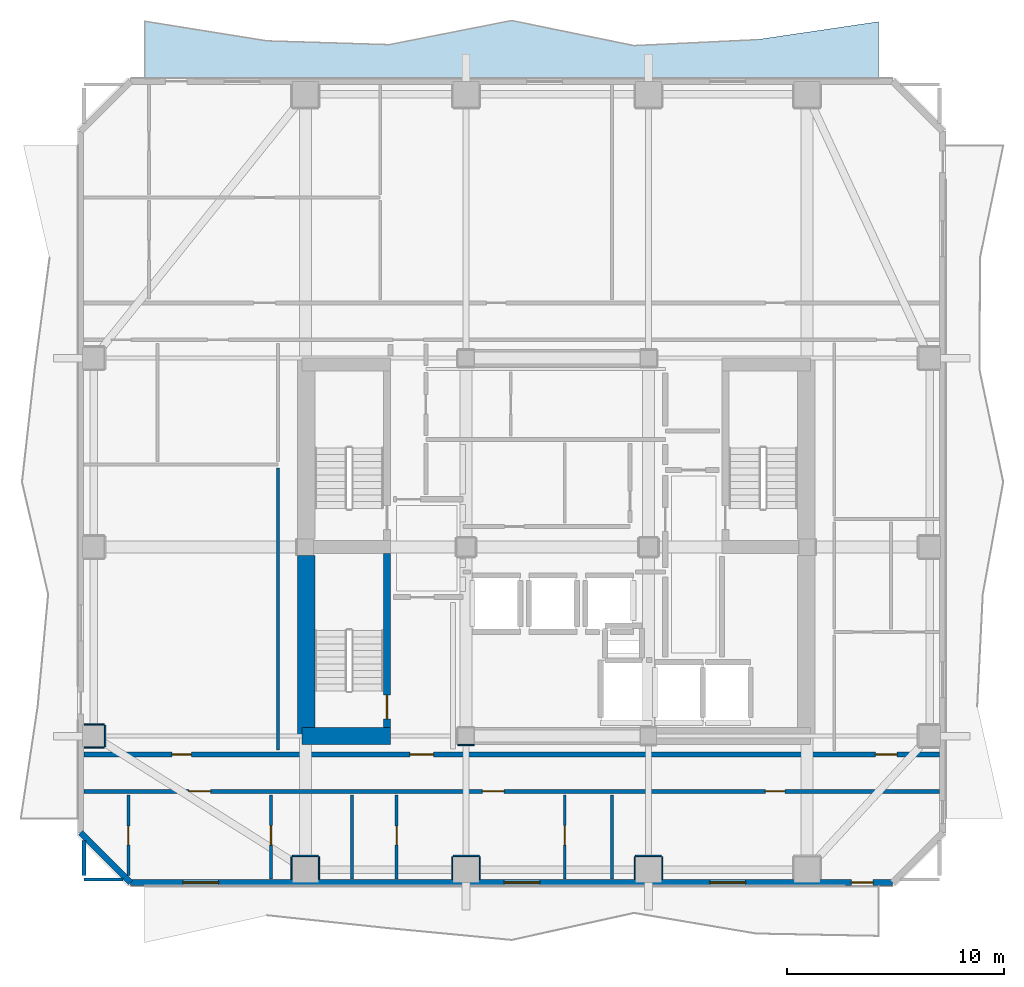
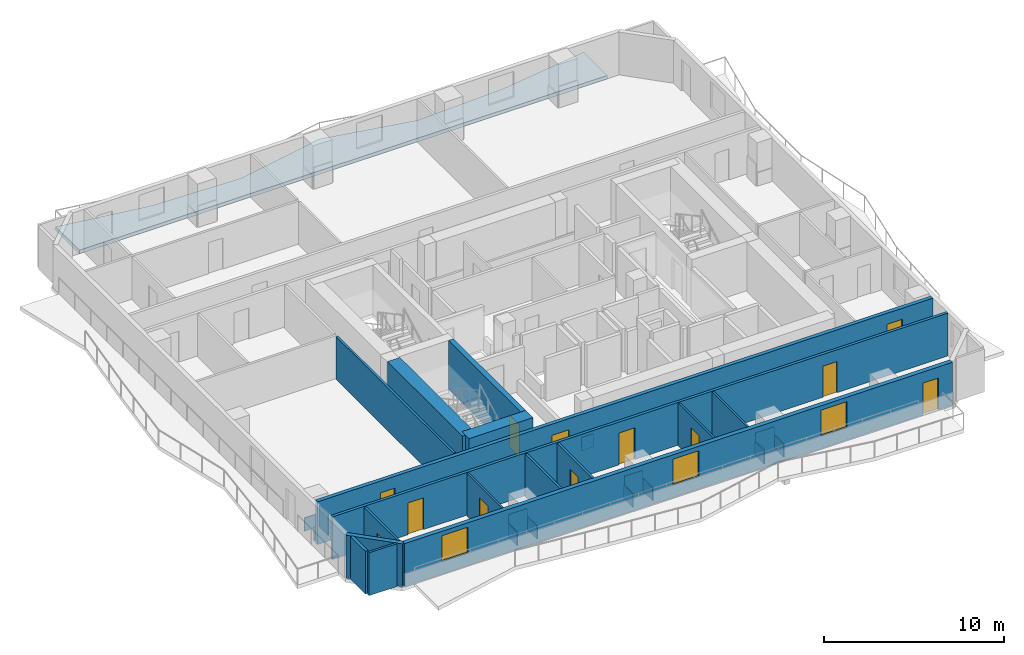
# One storey, part 2 of 10: 29 walls, 12 doors, 3 windows, 1 slab, 15 openings.
"""IFC4 building model written with IfcOpenShell, lengths in metres."""

from ifc_helpers import new_model, si_unit, direction, frame, frame_2d, origin, place, context, subcontext, project, spatial, polyline, rectangle, outline, extrude, material, layer, layer_set, type_object, element, fill, save


model = new_model("IFC4")

# Units and contexts
model_context = context("Model", 3, precision=1e-05, world=origin(), true_north=direction((0.0, 1.0)))
body_context = subcontext(model_context, "Body", "Model", "MODEL_VIEW")
ifc_project = project(units=[si_unit("LENGTHUNIT", "METRE"), si_unit("AREAUNIT", "SQUARE_METRE"), si_unit("VOLUMEUNIT", "CUBIC_METRE"), si_unit("PLANEANGLEUNIT", "RADIAN"), si_unit("MASSUNIT", "GRAM", prefix="KILO")], contexts=[model_context])

# Site, building, storey
site_placement = place(None, origin())
site = spatial("IfcSite", under=ifc_project, at=site_placement, CompositionType="ELEMENT")
building_placement = place(site_placement, origin())
building = spatial("IfcBuilding", under=site, at=building_placement, Name="Solanera Arch Residences", CompositionType="ELEMENT")
storey_placement = place(building_placement, frame((0.0, 0.0, 186.840087890625)))
storey = spatial("IfcBuildingStorey", under=building, at=storey_placement, Name="L54", CompositionType="ELEMENT", Elevation=186.840087890625)

# Slab
ifc_material_1 = material(Name="Concrete C40/50 (f'c = 45 MPa)", Category="concrete")
ifc_layer_1 = layer(ifc_material_1, 0.25)
ifc_layer_set_1 = layer_set([ifc_layer_1], Name="Concrete C40/50 (f'c = 45 MPa)")
slab_type = type_object("IfcSlabType", Name="Balcony Slab 250", PredefinedType="FLOOR", material=ifc_layer_set_1)
slab_placement = place(storey_placement, frame((0.0, 0.0, -0.25)))
element("IfcSlab", 1, at=slab_placement, inside=storey, type_object=slab_type, Name="L54 N Rippling Brise-Soleil Balcony Slab", PredefinedType="FLOOR", context=body_context, shape_type="SweptSolid", body=[
    extrude(outline(polyline([(39.800048828125, 54.89599609375), (34.1669921875, 54.06494140625), (28.532958984375, 53.79296875), (22.89990234375, 54.948974609375), (17.26708984375, 53.837890625), (11.633056640625, 54.011962890625), (6.0, 54.9150390625), (6.0, 52.280029296875), (39.800048828125, 52.280029296875), (39.800048828125, 54.89599609375)])), origin(), (0.0, 0.0, 1.0), 0.25),
])

# Walls
ifc_material_2 = material(Name="Fire-Rated Gypsum Stud Partition", Category="gypsum")
ifc_layer_2 = layer(ifc_material_2, 0.06005859375)
ifc_layer_set_2 = layer_set([ifc_layer_2], Name="Fire-Rated Gypsum Stud Partition")
wall_type_1 = type_object("IfcWallType", Name="Column Acoustic Furring Wall 60", PredefinedType="PARTITIONING", material=ifc_layer_set_2)
wall_1_placement = place(storey_placement, frame((20.425048828125, 21.593017578125, 0.0), z_axis=(0.0, 0.0, 1.0), x_axis=(1.0, 0.0, 0.0)))
element("IfcWall", 2, at=wall_1_placement, inside=storey, type_object=wall_type_1, Name="L54 Column Furring 1S", PredefinedType="PARTITIONING", context=body_context, shape_type="SweptSolid", body=[
    extrude(rectangle(XDim=0.741943359375, YDim=0.06005859375, at=frame_2d((0.37109375, 0.0))), origin(), (0.0, 0.0, 1.0), 0.905029296875),
])
wall_2_placement = place(storey_placement, frame((12.800048828125, 16.48193359375, 0.0), z_axis=(0.0, 0.0, 1.0), x_axis=(1.0, 0.0, 0.0)))
element("IfcWall", 3, at=wall_2_placement, inside=storey, type_object=wall_type_1, Name="L54 Column Furring 9N", PredefinedType="PARTITIONING", context=body_context, shape_type="SweptSolid", body=[
    extrude(rectangle(XDim=1.199951171875, YDim=0.06005859375, at=frame_2d((0.60009765625, 0.0))), origin(), (0.0, 0.0, 1.0), 1.449951171875),
])
for number, where, z_axis, x_axis, name in (
    (4, (12.76806640625, 15.409912109375, 0.0), (0.0, 0.0, 1.0), (0.0, 1.0, 0.0), "L54 Column Furring 9W"),
    (5, (14.031982421875, 15.409912109375, 0.0), (0.0, 0.0, 1.0), (0.0, 1.0, 0.0), "L54 Column Furring 9E"),
):
    element("IfcWall", number, at=place(storey_placement, frame(where, z_axis=z_axis, x_axis=x_axis)), inside=storey, type_object=wall_type_1, Name=name, PredefinedType="PARTITIONING", context=body_context, shape_type="SweptSolid", body=[
        extrude(rectangle(XDim=1.0400390625, YDim=0.06005859375, at=frame_2d((0.52001953125, 0.0))), origin(), (0.0, 0.0, 1.0), 0.905029296875),
    ])
wall_3_placement = place(storey_placement, frame((20.199951171875, 16.48193359375, 0.0), z_axis=(0.0, 0.0, 1.0), x_axis=(1.0, 0.0, 0.0)))
element("IfcWall", 6, at=wall_3_placement, inside=storey, type_object=wall_type_1, Name="L54 Column Furring 11N", PredefinedType="PARTITIONING", context=body_context, shape_type="SweptSolid", body=[
    extrude(rectangle(XDim=1.199951171875, YDim=0.06005859375, at=frame_2d((0.60009765625, 0.0))), origin(), (0.0, 0.0, 1.0), 1.449951171875),
])
for number, where, z_axis, x_axis, name in (
    (7, (20.16796875, 15.409912109375, 0.0), (0.0, 0.0, 1.0), (0.0, 1.0, 0.0), "L54 Column Furring 11W"),
    (8, (21.431884765625, 15.409912109375, 0.0), (0.0, 0.0, 1.0), (0.0, 1.0, 0.0), "L54 Column Furring 11E"),
):
    element("IfcWall", number, at=place(storey_placement, frame(where, z_axis=z_axis, x_axis=x_axis)), inside=storey, type_object=wall_type_1, Name=name, PredefinedType="PARTITIONING", context=body_context, shape_type="SweptSolid", body=[
        extrude(rectangle(XDim=1.0400390625, YDim=0.06005859375, at=frame_2d((0.52001953125, 0.0))), origin(), (0.0, 0.0, 1.0), 0.905029296875),
    ])
wall_4_placement = place(storey_placement, frame((28.60009765625, 16.48193359375, 0.0), z_axis=(0.0, 0.0, 1.0), x_axis=(1.0, 0.0, 0.0)))
element("IfcWall", 9, at=wall_4_placement, inside=storey, type_object=wall_type_1, Name="L54 Column Furring 13N", PredefinedType="PARTITIONING", context=body_context, shape_type="SweptSolid", body=[
    extrude(rectangle(XDim=1.199951171875, YDim=0.06005859375, at=frame_2d((0.60009765625, 0.0))), origin(), (0.0, 0.0, 1.0), 1.449951171875),
])
for number, where, z_axis, x_axis, name in (
    (10, (28.568115234375, 15.409912109375, 0.0), (0.0, 0.0, 1.0), (0.0, 1.0, 0.0), "L54 Column Furring 13W"),
    (11, (29.83203125, 15.409912109375, 0.0), (0.0, 0.0, 1.0), (0.0, 1.0, 0.0), "L54 Column Furring 13E"),
):
    element("IfcWall", number, at=place(storey_placement, frame(where, z_axis=z_axis, x_axis=x_axis)), inside=storey, type_object=wall_type_1, Name=name, PredefinedType="PARTITIONING", context=body_context, shape_type="SweptSolid", body=[
        extrude(rectangle(XDim=1.0400390625, YDim=0.06005859375, at=frame_2d((0.52001953125, 0.0))), origin(), (0.0, 0.0, 1.0), 0.905029296875),
    ])
for number, where, z_axis, x_axis, name in (
    (12, (3.2099609375, 21.468017578125, 0.0), (0.0, 0.0, 1.0), (1.0, 0.0, 0.0), "L54 Column Furring 17S"),
    (13, (3.2099609375, 22.531982421875, 0.0), (0.0, 0.0, 1.0), (1.0, 0.0, 0.0), "L54 Column Furring 17N"),
):
    element("IfcWall", number, at=place(storey_placement, frame(where, z_axis=z_axis, x_axis=x_axis)), inside=storey, type_object=wall_type_1, Name=name, PredefinedType="PARTITIONING", context=body_context, shape_type="SweptSolid", body=[
        extrude(rectangle(XDim=0.93994140625, YDim=0.06005859375, at=frame_2d((0.469970703125, 0.0))), origin(), (0.0, 0.0, 1.0), 0.905029296875),
    ])
wall_5_placement = place(storey_placement, frame((4.181884765625, 21.5, 0.0), z_axis=(0.0, 0.0, 1.0), x_axis=(0.0, 1.0, 0.0)))
element("IfcWall", 14, at=wall_5_placement, inside=storey, type_object=wall_type_1, Name="L54 Column Furring 17E", PredefinedType="PARTITIONING", context=body_context, shape_type="SweptSolid", body=[
    extrude(rectangle(XDim=1.0, YDim=0.06005859375, at=frame_2d((0.5, 0.0))), origin(), (0.0, 0.0, 1.0), 1.449951171875),
])

# Wall, opening, door
ifc_material_3 = material(Name="Concrete C40/50 (f'c = 45 MPa)", Category="concrete")
ifc_layer_3 = layer(ifc_material_3, 0.320068359375)
ifc_layer_set_3 = layer_set([ifc_layer_3], Name="Concrete C40/50 (f'c = 45 MPa)")
wall_type_2 = type_object("IfcWallType", Name="Core Shear Wall CW-320", PredefinedType="SHEAR", material=ifc_layer_set_3)
wall_6_placement = place(storey_placement, frame((17.159912109375, 22.39990234375, 0.0), z_axis=(0.0, 0.0, 1.0), x_axis=(0.0, 1.0, 0.0)))
wall_6 = element("IfcWall", 15, at=wall_6_placement, inside=storey, type_object=wall_type_2, Name="L54 Stair ST-T3 East Shear Wall", PredefinedType="SHEAR", context=body_context, shape_type="SweptSolid", body=[
    extrude(rectangle(XDim=8.0, YDim=0.320068359375, at=frame_2d((4.0, 0.0))), origin(), (0.0, 0.0, 1.0), 3.31982421875),
])
opening_1_placement = place(wall_6_placement, frame((0.389892578125, 0.0, 0.0)))
opening_1 = element("IfcOpeningElement", 16, at=opening_1_placement, cuts=wall_6, Name="Opening DF-01", PredefinedType="OPENING", context=body_context, shape_type="SweptSolid", body=[
    extrude(rectangle(XDim=1.10009765625, YDim=2.14990234375, at=frame_2d((0.550048828125, 1.074951171875))), frame((0.0, 0.169921875, 0.0), z_axis=(0.0, -1.0, 0.0), x_axis=(1.0, 0.0, 0.0)), (0.0, 0.0, 1.0), 0.3401),
])
ifc_material_4 = material(Name="Fire-Rated Architectural Hardwood", Category="wood")
door_type_1 = type_object("IfcDoorType", Name="Stair Exit Fire Door DF-01", OperationType="NOTDEFINED", PredefinedType="DOOR", material=ifc_material_4)
door_1_placement = place(opening_1_placement, origin())
door_1 = element("IfcDoor", 17, at=door_1_placement, inside=storey, type_object=door_type_1, Name="DR-L54-STAIR-ST-T3", OperationType="SINGLE_SWING_LEFT", OverallHeight=2.14990234375, OverallWidth=1.10009765625, PredefinedType="DOOR", context=body_context, shape_type="SweptSolid", body=[
    extrude(rectangle(XDim=1.10009765625, YDim=2.14990234375, at=frame_2d((0.550048828125, 1.074951171875))), frame((0.0, 0.02490234375, 0.0), z_axis=(0.0, -1.0, 0.0), x_axis=(1.0, 0.0, 0.0)), (0.0, 0.0, 1.0), 0.050048828125),
])
fill(opening_1, door_1)

# Walls
ifc_material_5 = material(Name="Concrete C40/50 (f'c = 45 MPa)", Category="concrete")
ifc_layer_4 = layer(ifc_material_5, 0.800048828125)
ifc_layer_set_4 = layer_set([ifc_layer_4], Name="Concrete C40/50 (f'c = 45 MPa)")
wall_type_3 = type_object("IfcWallType", Name="Core Shear Wall CW-800", PredefinedType="SHEAR", material=ifc_layer_set_4)
wall_7_placement = place(storey_placement, frame((13.43994140625, 22.0, 0.0), z_axis=(0.0, 0.0, 1.0), x_axis=(0.0, 1.0, 0.0)))
element("IfcWall", 18, at=wall_7_placement, inside=storey, type_object=wall_type_3, Name="L54 West Core South Shear Wall", PredefinedType="SHEAR", context=body_context, shape_type="SweptSolid", body=[
    extrude(rectangle(XDim=8.320068359375, YDim=0.800048828125, at=frame_2d((4.16015625, 0.0))), origin(), (0.0, 0.0, 1.0), 3.31982421875),
])
wall_8_placement = place(storey_placement, frame((13.239990234375, 22.0, 0.0), z_axis=(0.0, 0.0, 1.0), x_axis=(1.0, 0.0, 0.0)))
element("IfcWall", 19, at=wall_8_placement, inside=storey, type_object=wall_type_3, Name="L54 South-West Core Shear Wall", PredefinedType="SHEAR", context=body_context, shape_type="SweptSolid", body=[
    extrude(rectangle(XDim=4.080078125, YDim=0.800048828125, at=frame_2d((2.0400390625, 0.0))), origin(), (0.0, 0.0, 1.0), 3.31982421875),
])

# Wall, openings, doors
ifc_material_6 = material(Name="Autoclaved Aerated Concrete Blockwork", Category="masonry")
ifc_layer_5 = layer(ifc_material_6, 0.179931640625)
ifc_layer_set_5 = layer_set([ifc_layer_5], Name="Autoclaved Aerated Concrete Blockwork")
wall_type_4 = type_object("IfcWallType", Name="Corridor Fire Partition 180", PredefinedType="PARTITIONING", material=ifc_layer_set_5)
wall_9_placement = place(storey_placement, frame((3.20703125, 19.449951171875, 0.0), z_axis=(0.0, 0.0, 1.0), x_axis=(1.0, 0.0, 0.0)))
wall_9 = element("IfcWall", 20, at=wall_9_placement, inside=storey, type_object=wall_type_4, Name="L54 Interior Partition H6", PredefinedType="PARTITIONING", context=body_context, shape_type="SweptSolid", body=[
    extrude(rectangle(XDim=39.385986328125, YDim=0.179931640625, at=frame_2d((19.69287109375, 0.0))), origin(), (0.0, 0.0, 1.0), 2.89990234375),
])
opening_2_placement = place(wall_9_placement, frame((4.827880859375, 0.0, 0.0)))
opening_2 = element("IfcOpeningElement", 21, at=opening_2_placement, cuts=wall_9, Name="Opening DI-01", PredefinedType="OPENING", context=body_context, shape_type="SweptSolid", body=[
    extrude(rectangle(XDim=1.0, YDim=2.14990234375, at=frame_2d((0.5, 1.074951171875))), frame((0.0, 0.10009765625, 0.0), z_axis=(0.0, -1.0, 0.0), x_axis=(1.0, 0.0, 0.0)), (0.0, 0.0, 1.0), 0.1999),
])
opening_3_placement = place(wall_9_placement, frame((18.341064453125, 0.0, 0.0)))
opening_3 = element("IfcOpeningElement", 22, at=opening_3_placement, cuts=wall_9, Name="Opening DI-01", PredefinedType="OPENING", context=body_context, shape_type="SweptSolid", body=[
    extrude(rectangle(XDim=1.0, YDim=2.14990234375, at=frame_2d((0.5, 1.074951171875))), frame((0.0, 0.10009765625, 0.0), z_axis=(0.0, -1.0, 0.0), x_axis=(1.0, 0.0, 0.0)), (0.0, 0.0, 1.0), 0.1999),
])
opening_4_placement = place(wall_9_placement, frame((31.37890625, 0.0, 0.0)))
opening_4 = element("IfcOpeningElement", 23, at=opening_4_placement, cuts=wall_9, Name="Opening DI-02", PredefinedType="OPENING", context=body_context, shape_type="SweptSolid", body=[
    extrude(rectangle(XDim=0.89990234375, YDim=2.10009765625, at=frame_2d((0.449951171875, 1.050048828125))), frame((0.0, 0.10009765625, 0.0), z_axis=(0.0, -1.0, 0.0), x_axis=(1.0, 0.0, 0.0)), (0.0, 0.0, 1.0), 0.1999),
])
ifc_material_7 = material(Name="Fire-Rated Architectural Hardwood", Category="wood")
door_type_2 = type_object("IfcDoorType", Name="Suite Room Swing Door DI-02", OperationType="NOTDEFINED", PredefinedType="DOOR", material=ifc_material_7)
door_2_placement = place(opening_4_placement, origin())
door_2 = element("IfcDoor", 24, at=door_2_placement, inside=storey, type_object=door_type_2, Name="DR-L54-IN-020", OperationType="SINGLE_SWING_RIGHT", OverallHeight=2.10009765625, OverallWidth=0.89990234375, PredefinedType="DOOR", context=body_context, shape_type="SweptSolid", body=[
    extrude(rectangle(XDim=0.89990234375, YDim=2.10009765625, at=frame_2d((0.449951171875, 1.050048828125))), frame((0.0, 0.02490234375, 0.0), z_axis=(0.0, -1.0, 0.0), x_axis=(1.0, 0.0, 0.0)), (0.0, 0.0, 1.0), 0.050048828125),
])
fill(opening_4, door_2)
ifc_material_8 = material(Name="Fire-Rated Architectural Hardwood", Category="wood")
door_type_3 = type_object("IfcDoorType", Name="Unit Entrance Fire Door DI-01", OperationType="NOTDEFINED", PredefinedType="DOOR", material=ifc_material_8)
door_3_placement = place(opening_2_placement, origin())
door_3 = element("IfcDoor", 25, at=door_3_placement, inside=storey, type_object=door_type_3, Name="DR-L54-IN-014", OperationType="SINGLE_SWING_RIGHT", OverallHeight=2.14990234375, OverallWidth=1.0, PredefinedType="DOOR", context=body_context, shape_type="SweptSolid", body=[
    extrude(rectangle(XDim=1.0, YDim=2.14990234375, at=frame_2d((0.5, 1.074951171875))), frame((0.0, 0.02490234375, 0.0), z_axis=(0.0, -1.0, 0.0), x_axis=(1.0, 0.0, 0.0)), (0.0, 0.0, 1.0), 0.050048828125),
])
fill(opening_2, door_3)
door_4_placement = place(opening_3_placement, origin())
door_4 = element("IfcDoor", 26, at=door_4_placement, inside=storey, type_object=door_type_3, Name="DR-L54-IN-017", OperationType="SINGLE_SWING_LEFT", OverallHeight=2.14990234375, OverallWidth=1.0, PredefinedType="DOOR", context=body_context, shape_type="SweptSolid", body=[
    extrude(rectangle(XDim=1.0, YDim=2.14990234375, at=frame_2d((0.5, 1.074951171875))), frame((0.0, 0.02490234375, 0.0), z_axis=(0.0, -1.0, 0.0), x_axis=(1.0, 0.0, 0.0)), (0.0, 0.0, 1.0), 0.050048828125),
])
fill(opening_3, door_4)

# Wall
wall_10_placement = place(storey_placement, frame((3.199951171875, 15.568115234375, 0.0), z_axis=(0.0, 0.0, 1.0), x_axis=(0.0, 1.0, 0.0)))
element("IfcWall", 27, at=wall_10_placement, inside=storey, type_object=wall_type_4, Name="L54 Interior Partition V6 1", PredefinedType="PARTITIONING", context=body_context, shape_type="SweptSolid", body=[
    extrude(rectangle(XDim=1.626953125, YDim=0.179931640625, at=frame_2d((0.8134765625, 0.0))), origin(), (0.0, 0.0, 1.0), 2.89990234375),
])

# Wall, openings, door, windows
ifc_material_9 = material(Name="Precast Concrete C35/45", Category="concrete")
ifc_layer_6 = layer(ifc_material_9, 0.280029296875)
ifc_layer_set_6 = layer_set([ifc_layer_6], Name="Precast Concrete C35/45")
wall_type_5 = type_object("IfcWallType", Name="Exterior Wall Precast Masonry-Frame 280", PredefinedType="STANDARD", material=ifc_layer_set_6)
wall_11_placement = place(storey_placement, frame((40.445068359375, 15.2548828125, 0.0), z_axis=(0.0, 0.0, 1.0), x_axis=(-1.0, 0.0, 0.0)))
wall_11 = element("IfcWall", 28, at=wall_11_placement, inside=storey, type_object=wall_type_5, Name="L54 Tower Exterior Precast Masonry-Frame Wall S", PredefinedType="STANDARD", context=body_context, shape_type="SweptSolid", body=[
    extrude(rectangle(XDim=35.090087890625, YDim=0.280029296875, at=frame_2d((17.544921875, 0.0))), origin(), (0.0, 0.0, 1.0), 2.89990234375),
])
opening_5_placement = place(wall_11_placement, frame((0.904052734375, 0.0, 0.0)))
opening_5 = element("IfcOpeningElement", 29, at=opening_5_placement, cuts=wall_11, Name="Opening DB-01", PredefinedType="OPENING", context=body_context, shape_type="SweptSolid", body=[
    extrude(rectangle(XDim=1.0, YDim=2.14990234375, at=frame_2d((0.5, 1.074951171875))), frame((0.0, 0.14990234375, 0.0), z_axis=(0.0, -1.0, 0.0), x_axis=(1.0, 0.0, 0.0)), (0.0, 0.0, 1.0), 0.3),
])
opening_6_placement = place(wall_11_placement, frame((31.0380859375, 0.0, 0.85009765625)))
opening_6 = element("IfcOpeningElement", 30, at=opening_6_placement, cuts=wall_11, Name="Opening W-08", PredefinedType="OPENING", context=body_context, shape_type="SweptSolid", body=[
    extrude(rectangle(XDim=1.64990234375, YDim=1.75, at=frame_2d((0.824951171875, 0.875))), frame((0.0, 0.14990234375, 0.0), z_axis=(0.0, -1.0, 0.0), x_axis=(1.0, 0.0, 0.0)), (0.0, 0.0, 1.0), 0.3),
])
opening_7_placement = place(wall_11_placement, frame((16.239990234375, 0.0, 0.85009765625)))
opening_7 = element("IfcOpeningElement", 31, at=opening_7_placement, cuts=wall_11, Name="Opening W-08", PredefinedType="OPENING", context=body_context, shape_type="SweptSolid", body=[
    extrude(rectangle(XDim=1.64990234375, YDim=1.75, at=frame_2d((0.824951171875, 0.875))), frame((0.0, 0.14990234375, 0.0), z_axis=(0.0, -1.0, 0.0), x_axis=(1.0, 0.0, 0.0)), (0.0, 0.0, 1.0), 0.3),
])
opening_8_placement = place(wall_11_placement, frame((6.77001953125, 0.0, 0.85009765625)))
opening_8 = element("IfcOpeningElement", 32, at=opening_8_placement, cuts=wall_11, Name="Opening W-08", PredefinedType="OPENING", context=body_context, shape_type="SweptSolid", body=[
    extrude(rectangle(XDim=1.64990234375, YDim=1.75, at=frame_2d((0.824951171875, 0.875))), frame((0.0, 0.14990234375, 0.0), z_axis=(0.0, -1.0, 0.0), x_axis=(1.0, 0.0, 0.0)), (0.0, 0.0, 1.0), 0.3),
])
ifc_material_10 = material(Name="Anodised Aluminium Alloy 6063-T6", Category="aluminium")
door_type_4 = type_object("IfcDoorType", Name="Glazed Balcony Swing Door DB-01", OperationType="NOTDEFINED", PredefinedType="DOOR", material=ifc_material_10)
door_5_placement = place(opening_5_placement, origin())
door_5 = element("IfcDoor", 33, at=door_5_placement, inside=storey, type_object=door_type_4, Name="DR-L54-OUT-01", OperationType="SINGLE_SWING_RIGHT", OverallHeight=2.14990234375, OverallWidth=1.0, PredefinedType="DOOR", context=body_context, shape_type="SweptSolid", body=[
    extrude(rectangle(XDim=1.0, YDim=2.14990234375, at=frame_2d((0.5, 1.074951171875))), frame((0.0, 0.02490234375, 0.0), z_axis=(0.0, -1.0, 0.0), x_axis=(1.0, 0.0, 0.0)), (0.0, 0.0, 1.0), 0.050048828125),
])
fill(opening_5, door_5)
ifc_material_11 = material(Name="Double Glazed Low-E Laminated Glass", Category="glass")
window_type = type_object("IfcWindowType", Name="Punched Window W-08", PartitioningType="DOUBLE_PANEL_HORIZONTAL", PredefinedType="WINDOW", material=ifc_material_11)
window_1_placement = place(opening_6_placement, origin())
window_1 = element("IfcWindow", 34, at=window_1_placement, inside=storey, type_object=window_type, Name="L54 5401-LIV Punched Window", OverallHeight=1.75, OverallWidth=1.64990234375, PartitioningType="SINGLE_PANEL", PredefinedType="WINDOW", context=body_context, shape_type="SweptSolid", body=[
    extrude(rectangle(XDim=1.64990234375, YDim=1.75, at=frame_2d((0.824951171875, 0.875))), frame((0.0, 0.030029296875, 0.0), z_axis=(0.0, -1.0, 0.0), x_axis=(1.0, 0.0, 0.0)), (0.0, 0.0, 1.0), 0.06005859375),
])
fill(opening_6, window_1)
window_2_placement = place(opening_7_placement, origin())
window_2 = element("IfcWindow", 35, at=window_2_placement, inside=storey, type_object=window_type, Name="L54 5402-LIV Punched Window", OverallHeight=1.75, OverallWidth=1.64990234375, PartitioningType="SINGLE_PANEL", PredefinedType="WINDOW", context=body_context, shape_type="SweptSolid", body=[
    extrude(rectangle(XDim=1.64990234375, YDim=1.75, at=frame_2d((0.824951171875, 0.875))), frame((0.0, 0.030029296875, 0.0), z_axis=(0.0, -1.0, 0.0), x_axis=(1.0, 0.0, 0.0)), (0.0, 0.0, 1.0), 0.06005859375),
])
fill(opening_7, window_2)
window_3_placement = place(opening_8_placement, origin())
window_3 = element("IfcWindow", 36, at=window_3_placement, inside=storey, type_object=window_type, Name="L54 AMN-LNG Punched Window", OverallHeight=1.75, OverallWidth=1.64990234375, PartitioningType="SINGLE_PANEL", PredefinedType="WINDOW", context=body_context, shape_type="SweptSolid", body=[
    extrude(rectangle(XDim=1.64990234375, YDim=1.75, at=frame_2d((0.824951171875, 0.875))), frame((0.0, 0.030029296875, 0.0), z_axis=(0.0, -1.0, 0.0), x_axis=(1.0, 0.0, 0.0)), (0.0, 0.0, 1.0), 0.06005859375),
])
fill(opening_8, window_3)

# Wall
wall_12_placement = place(storey_placement, frame((5.35498046875, 15.2548828125, 0.0), z_axis=(0.0, 0.0, 1.0), x_axis=(-0.707106781187, 0.707106781187, 0.0)))
element("IfcWall", 37, at=wall_12_placement, inside=storey, type_object=wall_type_5, Name="L54 Tower Exterior Precast Masonry-Frame Wall CH7", PredefinedType="STANDARD", context=body_context, shape_type="SweptSolid", body=[
    extrude(rectangle(XDim=3.252685546875, YDim=0.280029296875, at=frame_2d((1.62646484375, 0.0))), origin(), (0.0, 0.0, 1.0), 2.89990234375),
])

# Wall, openings, doors
ifc_material_12 = material(Name="Autoclaved Aerated Concrete Blockwork", Category="masonry")
ifc_layer_7 = layer(ifc_material_12, 0.239990234375)
ifc_layer_set_7 = layer_set([ifc_layer_7], Name="Autoclaved Aerated Concrete Blockwork")
wall_type_6 = type_object("IfcWallType", Name="Shaft Wall Fire-Rated 240", PredefinedType="PARTITIONING", material=ifc_layer_set_7)
wall_13_placement = place(storey_placement, frame((3.20703125, 21.14990234375, 0.0), z_axis=(0.0, 0.0, 1.0), x_axis=(1.0, 0.0, 0.0)))
wall_13 = element("IfcWall", 38, at=wall_13_placement, inside=storey, type_object=wall_type_6, Name="L54 Interior Partition H1", PredefinedType="PARTITIONING", context=body_context, shape_type="SweptSolid", body=[
    extrude(rectangle(XDim=39.385986328125, YDim=0.239990234375, at=frame_2d((19.69287109375, 0.0))), origin(), (0.0, 0.0, 1.0), 2.89990234375),
])
opening_9_placement = place(wall_13_placement, frame((15.0029296875, 0.0, 0.0)))
opening_9 = element("IfcOpeningElement", 39, at=opening_9_placement, cuts=wall_13, Name="Opening DF-02", PredefinedType="OPENING", context=body_context, shape_type="SweptSolid", body=[
    extrude(rectangle(XDim=1.10009765625, YDim=2.14990234375, at=frame_2d((0.550048828125, 1.074951171875))), frame((0.0, 0.1298828125, 0.0), z_axis=(0.0, -1.0, 0.0), x_axis=(1.0, 0.0, 0.0)), (0.0, 0.0, 1.0), 0.26),
])
opening_10_placement = place(wall_13_placement, frame((4.0419921875, 0.0, 0.0)))
opening_10 = element("IfcOpeningElement", 40, at=opening_10_placement, cuts=wall_13, Name="Opening DI-02", PredefinedType="OPENING", context=body_context, shape_type="SweptSolid", body=[
    extrude(rectangle(XDim=0.89990234375, YDim=2.10009765625, at=frame_2d((0.449951171875, 1.050048828125))), frame((0.0, 0.1298828125, 0.0), z_axis=(0.0, -1.0, 0.0), x_axis=(1.0, 0.0, 0.0)), (0.0, 0.0, 1.0), 0.26),
])
opening_11_placement = place(wall_13_placement, frame((36.444091796875, 0.0, 0.0)))
opening_11 = element("IfcOpeningElement", 41, at=opening_11_placement, cuts=wall_13, Name="Opening DI-01", PredefinedType="OPENING", context=body_context, shape_type="SweptSolid", body=[
    extrude(rectangle(XDim=1.0, YDim=2.14990234375, at=frame_2d((0.5, 1.074951171875))), frame((0.0, 0.1298828125, 0.0), z_axis=(0.0, -1.0, 0.0), x_axis=(1.0, 0.0, 0.0)), (0.0, 0.0, 1.0), 0.26),
])
ifc_material_13 = material(Name="Fire-Rated Architectural Hardwood", Category="wood")
door_type_5 = type_object("IfcDoorType", Name="Firefighting Lobby Fire Door DF-02", OperationType="NOTDEFINED", PredefinedType="DOOR", material=ifc_material_13)
door_6_placement = place(opening_9_placement, origin())
door_6 = element("IfcDoor", 42, at=door_6_placement, inside=storey, type_object=door_type_5, Name="DR-L54-IN-008", OperationType="SINGLE_SWING_RIGHT", OverallHeight=2.14990234375, OverallWidth=1.10009765625, PredefinedType="DOOR", context=body_context, shape_type="SweptSolid", body=[
    extrude(rectangle(XDim=1.10009765625, YDim=2.14990234375, at=frame_2d((0.550048828125, 1.074951171875))), frame((0.0, 0.02490234375, 0.0), z_axis=(0.0, -1.0, 0.0), x_axis=(1.0, 0.0, 0.0)), (0.0, 0.0, 1.0), 0.050048828125),
])
fill(opening_9, door_6)
door_7_placement = place(opening_10_placement, origin())
door_7 = element("IfcDoor", 43, at=door_7_placement, inside=storey, type_object=door_type_2, Name="DR-L54-IN-027", OperationType="SINGLE_SWING_LEFT", OverallHeight=2.10009765625, OverallWidth=0.89990234375, PredefinedType="DOOR", context=body_context, shape_type="SweptSolid", body=[
    extrude(rectangle(XDim=0.89990234375, YDim=2.10009765625, at=frame_2d((0.449951171875, 1.050048828125))), frame((0.0, 0.02490234375, 0.0), z_axis=(0.0, -1.0, 0.0), x_axis=(1.0, 0.0, 0.0)), (0.0, 0.0, 1.0), 0.050048828125),
])
fill(opening_10, door_7)
door_8_placement = place(opening_11_placement, origin())
door_8 = element("IfcDoor", 44, at=door_8_placement, inside=storey, type_object=door_type_3, Name="DR-L54-IN-030", OperationType="SINGLE_SWING_RIGHT", OverallHeight=2.14990234375, OverallWidth=1.0, PredefinedType="DOOR", context=body_context, shape_type="SweptSolid", body=[
    extrude(rectangle(XDim=1.0, YDim=2.14990234375, at=frame_2d((0.5, 1.074951171875))), frame((0.0, 0.02490234375, 0.0), z_axis=(0.0, -1.0, 0.0), x_axis=(1.0, 0.0, 0.0)), (0.0, 0.0, 1.0), 0.050048828125),
])
fill(opening_11, door_8)

# Wall, opening, door
ifc_material_14 = material(Name="Fire-Rated Gypsum Stud Partition", Category="gypsum")
ifc_layer_8 = layer(ifc_material_14, 0.1201171875)
ifc_layer_set_8 = layer_set([ifc_layer_8], Name="Fire-Rated Gypsum Stud Partition")
wall_type_7 = type_object("IfcWallType", Name="Unit Drywall Partition 120", PredefinedType="PARTITIONING", material=ifc_layer_set_8)
wall_14_placement = place(storey_placement, frame((11.820068359375, 15.406982421875, 0.0), z_axis=(0.0, 0.0, 1.0), x_axis=(0.0, 1.0, 0.0)))
wall_14 = element("IfcWall", 45, at=wall_14_placement, inside=storey, type_object=wall_type_7, Name="L54 Interior Partition V17", PredefinedType="PARTITIONING", context=body_context, shape_type="SweptSolid", body=[
    extrude(rectangle(XDim=3.885009765625, YDim=0.1201171875, at=frame_2d((1.9423828125, 0.0))), origin(), (0.0, 0.0, 1.0), 2.89990234375),
])
opening_12_placement = place(wall_14_placement, frame((1.568115234375, 0.0, 0.0)))
opening_12 = element("IfcOpeningElement", 46, at=opening_12_placement, cuts=wall_14, Name="Opening DI-02", PredefinedType="OPENING", context=body_context, shape_type="SweptSolid", body=[
    extrude(rectangle(XDim=0.89990234375, YDim=2.10009765625, at=frame_2d((0.449951171875, 1.050048828125))), frame((0.0, 0.070068359375, 0.0), z_axis=(0.0, -1.0, 0.0), x_axis=(1.0, 0.0, 0.0)), (0.0, 0.0, 1.0), 0.1401),
])
door_9_placement = place(opening_12_placement, origin())
door_9 = element("IfcDoor", 47, at=door_9_placement, inside=storey, type_object=door_type_2, Name="DR-L54-IN-016", OperationType="SINGLE_SWING_RIGHT", OverallHeight=2.10009765625, OverallWidth=0.89990234375, PredefinedType="DOOR", context=body_context, shape_type="SweptSolid", body=[
    extrude(rectangle(XDim=0.89990234375, YDim=2.10009765625, at=frame_2d((0.449951171875, 1.050048828125))), frame((0.0, 0.02490234375, 0.0), z_axis=(0.0, -1.0, 0.0), x_axis=(1.0, 0.0, 0.0)), (0.0, 0.0, 1.0), 0.050048828125),
])
fill(opening_12, door_9)

wall_15_placement = place(storey_placement, frame((25.35009765625, 15.406982421875, 0.0), z_axis=(0.0, 0.0, 1.0), x_axis=(0.0, 1.0, 0.0)))
wall_15 = element("IfcWall", 48, at=wall_15_placement, inside=storey, type_object=wall_type_7, Name="L54 Interior Partition V20", PredefinedType="PARTITIONING", context=body_context, shape_type="SweptSolid", body=[
    extrude(rectangle(XDim=3.885009765625, YDim=0.1201171875, at=frame_2d((1.9423828125, 0.0))), origin(), (0.0, 0.0, 1.0), 2.89990234375),
])
opening_13_placement = place(wall_15_placement, frame((1.568115234375, 0.0, 0.0)))
opening_13 = element("IfcOpeningElement", 49, at=opening_13_placement, cuts=wall_15, Name="Opening DI-02", PredefinedType="OPENING", context=body_context, shape_type="SweptSolid", body=[
    extrude(rectangle(XDim=0.89990234375, YDim=2.10009765625, at=frame_2d((0.449951171875, 1.050048828125))), frame((0.0, 0.070068359375, 0.0), z_axis=(0.0, -1.0, 0.0), x_axis=(1.0, 0.0, 0.0)), (0.0, 0.0, 1.0), 0.1401),
])
door_10_placement = place(opening_13_placement, origin())
door_10 = element("IfcDoor", 50, at=door_10_placement, inside=storey, type_object=door_type_2, Name="DR-L54-IN-019", OperationType="SINGLE_SWING_LEFT", OverallHeight=2.10009765625, OverallWidth=0.89990234375, PredefinedType="DOOR", context=body_context, shape_type="SweptSolid", body=[
    extrude(rectangle(XDim=0.89990234375, YDim=2.10009765625, at=frame_2d((0.449951171875, 1.050048828125))), frame((0.0, 0.02490234375, 0.0), z_axis=(0.0, -1.0, 0.0), x_axis=(1.0, 0.0, 0.0)), (0.0, 0.0, 1.0), 0.050048828125),
])
fill(opening_13, door_10)

# Walls
wall_16_placement = place(storey_placement, frame((27.52001953125, 15.406982421875, 0.0), z_axis=(0.0, 0.0, 1.0), x_axis=(0.0, 1.0, 0.0)))
element("IfcWall", 51, at=wall_16_placement, inside=storey, type_object=wall_type_7, Name="L54 Interior Partition V22", PredefinedType="PARTITIONING", context=body_context, shape_type="SweptSolid", body=[
    extrude(rectangle(XDim=3.885009765625, YDim=0.1201171875, at=frame_2d((1.9423828125, 0.0))), origin(), (0.0, 0.0, 1.0), 2.89990234375),
])
ifc_material_15 = material(Name="Autoclaved Aerated Concrete Blockwork", Category="masonry")
ifc_layer_9 = layer(ifc_material_15, 0.139892578125)
ifc_layer_set_9 = layer_set([ifc_layer_9], Name="Autoclaved Aerated Concrete Blockwork")
wall_type_8 = type_object("IfcWallType", Name="Wet-Room Partition 140", PredefinedType="PARTITIONING", material=ifc_layer_set_9)
wall_17_placement = place(storey_placement, frame((3.199951171875, 15.39990234375, 0.0), z_axis=(0.0, 0.0, 1.0), x_axis=(1.0, 0.0, 0.0)))
element("IfcWall", 52, at=wall_17_placement, inside=storey, type_object=wall_type_8, Name="L54 Interior Partition H13 1", PredefinedType="PARTITIONING", context=body_context, shape_type="SweptSolid", body=[
    extrude(rectangle(XDim=1.795166015625, YDim=0.139892578125, at=frame_2d((0.8974609375, 0.0))), origin(), (0.0, 0.0, 1.0), 2.89990234375),
])

# Wall, opening, door
wall_18_placement = place(storey_placement, frame((5.25, 15.574951171875, 0.0), z_axis=(0.0, 0.0, 1.0), x_axis=(0.0, 1.0, 0.0)))
wall_18 = element("IfcWall", 53, at=wall_18_placement, inside=storey, type_object=wall_type_8, Name="L54 Interior Partition V10", PredefinedType="PARTITIONING", context=body_context, shape_type="SweptSolid", body=[
    extrude(rectangle(XDim=3.70703125, YDim=0.139892578125, at=frame_2d((1.853515625, 0.0))), origin(), (0.0, 0.0, 1.0), 2.89990234375),
])
opening_14_placement = place(wall_18_placement, frame((1.419921875, 0.0, 0.0)))
opening_14 = element("IfcOpeningElement", 54, at=opening_14_placement, cuts=wall_18, Name="Opening DI-05", PredefinedType="OPENING", context=body_context, shape_type="SweptSolid", body=[
    extrude(rectangle(XDim=0.860107421875, YDim=2.02001953125, at=frame_2d((0.43017578125, 1.010009765625))), frame((0.0, 0.079833984375, 0.0), z_axis=(0.0, -1.0, 0.0), x_axis=(1.0, 0.0, 0.0)), (0.0, 0.0, 1.0), 0.1599),
])
ifc_material_16 = material(Name="Fire-Rated Architectural Hardwood", Category="wood")
door_type_6 = type_object("IfcDoorType", Name="Bathroom Swing Door DI-05", OperationType="NOTDEFINED", PredefinedType="DOOR", material=ifc_material_16)
door_11_placement = place(opening_14_placement, origin())
door_11 = element("IfcDoor", 55, at=door_11_placement, inside=storey, type_object=door_type_6, Name="DR-L54-IN-015", OperationType="SINGLE_SWING_LEFT", OverallHeight=2.02001953125, OverallWidth=0.860107421875, PredefinedType="DOOR", context=body_context, shape_type="SweptSolid", body=[
    extrude(rectangle(XDim=0.860107421875, YDim=2.02001953125, at=frame_2d((0.43017578125, 1.010009765625))), frame((0.0, 0.02490234375, 0.0), z_axis=(0.0, -1.0, 0.0), x_axis=(1.0, 0.0, 0.0)), (0.0, 0.0, 1.0), 0.050048828125),
])
fill(opening_14, door_11)

# Walls
wall_19_placement = place(storey_placement, frame((12.14990234375, 21.347900390625, 0.0), z_axis=(0.0, 0.0, 1.0), x_axis=(0.0, 1.0, 0.0)))
element("IfcWall", 56, at=wall_19_placement, inside=storey, type_object=wall_type_8, Name="L54 Interior Partition V13 1", PredefinedType="PARTITIONING", context=body_context, shape_type="SweptSolid", body=[
    extrude(rectangle(XDim=13.004150390625, YDim=0.139892578125, at=frame_2d((6.501953125, 0.0))), origin(), (0.0, 0.0, 1.0), 2.89990234375),
])
wall_20_placement = place(storey_placement, frame((15.555908203125, 15.406982421875, 0.0), z_axis=(0.0, 0.0, 1.0), x_axis=(0.0, 1.0, 0.0)))
element("IfcWall", 57, at=wall_20_placement, inside=storey, type_object=wall_type_8, Name="L54 Interior Partition V14", PredefinedType="PARTITIONING", context=body_context, shape_type="SweptSolid", body=[
    extrude(rectangle(XDim=3.875, YDim=0.139892578125, at=frame_2d((1.9375, 0.0))), origin(), (0.0, 0.0, 1.0), 2.89990234375),
])

# Wall, opening, door
wall_21_placement = place(storey_placement, frame((17.60595703125, 15.406982421875, 0.0), z_axis=(0.0, 0.0, 1.0), x_axis=(0.0, 1.0, 0.0)))
wall_21 = element("IfcWall", 58, at=wall_21_placement, inside=storey, type_object=wall_type_8, Name="L54 Interior Partition V15", PredefinedType="PARTITIONING", context=body_context, shape_type="SweptSolid", body=[
    extrude(rectangle(XDim=3.875, YDim=0.139892578125, at=frame_2d((1.9375, 0.0))), origin(), (0.0, 0.0, 1.0), 2.89990234375),
])
opening_15_placement = place(wall_21_placement, frame((1.587890625, 0.0, 0.0)))
opening_15 = element("IfcOpeningElement", 59, at=opening_15_placement, cuts=wall_21, Name="Opening DI-05", PredefinedType="OPENING", context=body_context, shape_type="SweptSolid", body=[
    extrude(rectangle(XDim=0.860107421875, YDim=2.02001953125, at=frame_2d((0.43017578125, 1.010009765625))), frame((0.0, 0.079833984375, 0.0), z_axis=(0.0, -1.0, 0.0), x_axis=(1.0, 0.0, 0.0)), (0.0, 0.0, 1.0), 0.1599),
])
door_12_placement = place(opening_15_placement, origin())
door_12 = element("IfcDoor", 60, at=door_12_placement, inside=storey, type_object=door_type_6, Name="DR-L54-IN-018", OperationType="SINGLE_SWING_RIGHT", OverallHeight=2.02001953125, OverallWidth=0.860107421875, PredefinedType="DOOR", context=body_context, shape_type="SweptSolid", body=[
    extrude(rectangle(XDim=0.860107421875, YDim=2.02001953125, at=frame_2d((0.43017578125, 1.010009765625))), frame((0.0, 0.02490234375, 0.0), z_axis=(0.0, -1.0, 0.0), x_axis=(1.0, 0.0, 0.0)), (0.0, 0.0, 1.0), 0.050048828125),
])
fill(opening_15, door_12)

save(model, "model.ifc")
